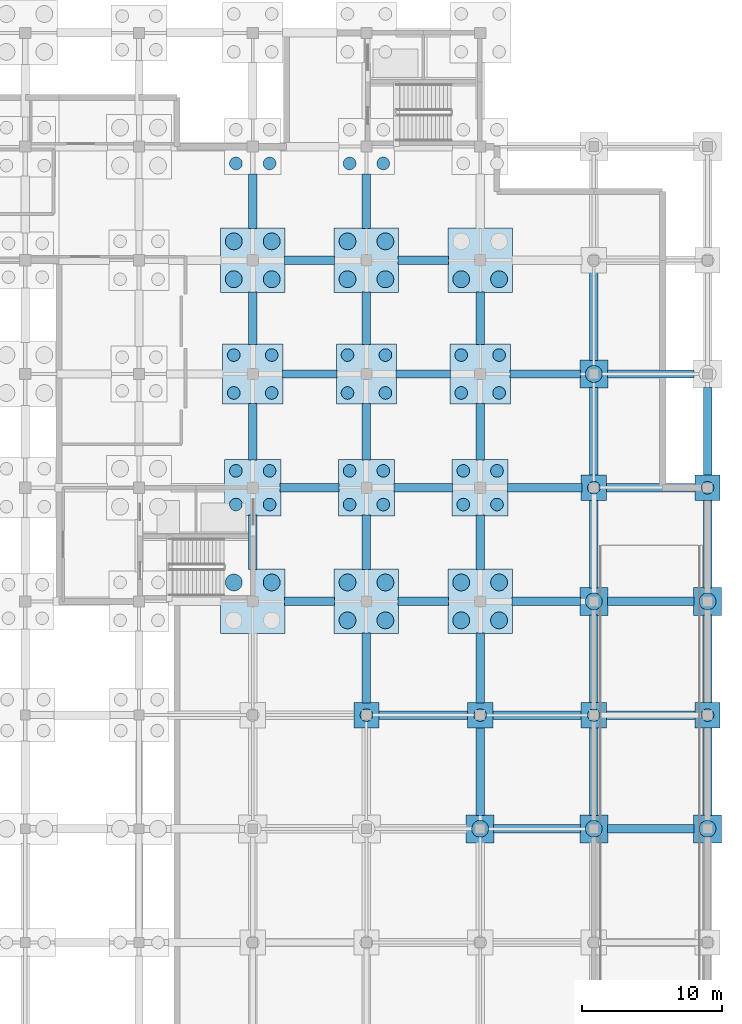
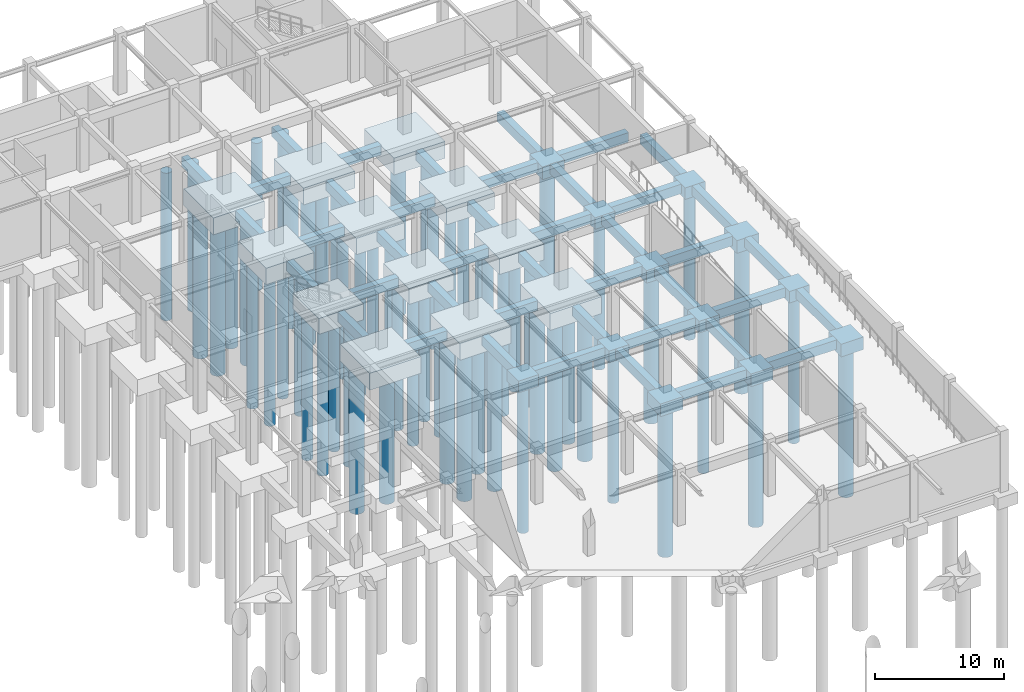
# One storey, part 7 of 26: 66 footings, 60 piles.
"""IFC4 building model written with IfcOpenShell, lengths in metres."""

from ifc_helpers import new_model, si_unit, direction, frame, origin, origin_2d, place, context, subcontext, project, spatial, rectangle, circle, extrude, material, material_profile, profile_set, type_object, element, save


model = new_model("IFC4")

# Units and contexts
model_context = context("Model", 3, precision=1e-05, world=origin(), true_north=direction((0.0, 1.0)))
body_context = subcontext(model_context, "Body", "Model", "MODEL_VIEW")
ifc_project = project(units=[si_unit("LENGTHUNIT", "METRE"), si_unit("AREAUNIT", "SQUARE_METRE"), si_unit("VOLUMEUNIT", "CUBIC_METRE"), si_unit("PLANEANGLEUNIT", "RADIAN"), si_unit("MASSUNIT", "GRAM", prefix="KILO")], contexts=[model_context])

# Site, building, storey
site_placement = place(None, origin())
site = spatial("IfcSite", under=ifc_project, at=site_placement, CompositionType="ELEMENT")
building_placement = place(site_placement, origin())
building = spatial("IfcBuilding", under=site, at=building_placement, Name="Parian Resonance Hall", CompositionType="ELEMENT")
storey_placement = place(building_placement, frame((0.0, 0.0, -5.39990234375)))
storey = spatial("IfcBuildingStorey", under=building, at=storey_placement, Name="B1", CompositionType="ELEMENT", Elevation=-5.39990234375)

# Footings
ifc_material_1 = material(Name="Concrete C35/45", Category="concrete")
ifc_material_profile_1 = material_profile(ifc_material_1, rectangle(XDim=0.60009765625, YDim=0.89990234375, at=origin_2d()), Name="RC-GB-600x900")
ifc_profile_set_1 = profile_set([ifc_material_profile_1], Name="Concrete C35/45")
footing_type_1 = type_object("IfcFootingType", Name="GB-600x900", PredefinedType="FOOTING_BEAM", material=ifc_profile_set_1)
footing_1_placement = place(storey_placement, frame((131.860107421875, 48.60009765625, -0.85009765625), z_axis=(1.0, 0.0, 0.0), x_axis=(0.0, 1.0, 0.0)))
element("IfcFooting", 1, at=footing_1_placement, inside=storey, type_object=footing_type_1, Name="Foundation tie beam B1-172", PredefinedType="FOOTING_BEAM", context=body_context, shape_type="SweptSolid", body=[
    extrude(rectangle(XDim=0.60009765625, YDim=0.89990234375, at=origin_2d()), origin(), (0.0, 0.0, 1.0), 3.579833984375),
])
footing_2_placement = place(storey_placement, frame((129.60009765625, 50.860107421875, -0.85009765625), z_axis=(0.0, 1.0, 0.0), x_axis=(-1.0, 0.0, 0.0)))
element("IfcFooting", 2, at=footing_2_placement, inside=storey, type_object=footing_type_1, Name="Foundation tie beam B1-173", PredefinedType="FOOTING_BEAM", context=body_context, shape_type="SweptSolid", body=[
    extrude(rectangle(XDim=0.60009765625, YDim=0.89990234375, at=origin_2d()), origin(), (0.0, 0.0, 1.0), 3.8798828125),
])
footing_3_placement = place(storey_placement, frame((131.56005859375, 56.699951171875, -0.85009765625), z_axis=(1.0, 0.0, 0.0), x_axis=(0.0, 1.0, 0.0)))
element("IfcFooting", 3, at=footing_3_placement, inside=storey, type_object=footing_type_1, Name="Foundation tie beam B1-174", PredefinedType="FOOTING_BEAM", context=body_context, shape_type="SweptSolid", body=[
    extrude(rectangle(XDim=0.60009765625, YDim=0.89990234375, at=origin_2d()), origin(), (0.0, 0.0, 1.0), 4.179931640625),
])
footing_4_placement = place(storey_placement, frame((129.60009765625, 58.659912109375, -0.85009765625), z_axis=(0.0, 1.0, 0.0), x_axis=(-1.0, 0.0, 0.0)))
element("IfcFooting", 4, at=footing_4_placement, inside=storey, type_object=footing_type_1, Name="Foundation tie beam B1-175", PredefinedType="FOOTING_BEAM", context=body_context, shape_type="SweptSolid", body=[
    extrude(rectangle(XDim=0.60009765625, YDim=0.89990234375, at=origin_2d()), origin(), (0.0, 0.0, 1.0), 4.030029296875),
])
footing_5_placement = place(storey_placement, frame((131.7099609375, 64.800048828125, -0.85009765625), z_axis=(1.0, 0.0, 0.0), x_axis=(0.0, 1.0, 0.0)))
element("IfcFooting", 5, at=footing_5_placement, inside=storey, type_object=footing_type_1, Name="Foundation tie beam B1-176", PredefinedType="FOOTING_BEAM", context=body_context, shape_type="SweptSolid", body=[
    extrude(rectangle(XDim=0.60009765625, YDim=0.89990234375, at=origin_2d()), origin(), (0.0, 0.0, 1.0), 3.880126953125),
])
footing_6_placement = place(storey_placement, frame((129.60009765625, 66.909912109375, -0.85009765625), z_axis=(0.0, 1.0, 0.0), x_axis=(-1.0, 0.0, 0.0)))
element("IfcFooting", 6, at=footing_6_placement, inside=storey, type_object=footing_type_1, Name="Foundation tie beam B1-177", PredefinedType="FOOTING_BEAM", context=body_context, shape_type="SweptSolid", body=[
    extrude(rectangle(XDim=0.60009765625, YDim=0.89990234375, at=origin_2d()), origin(), (0.0, 0.0, 1.0), 3.72998046875),
])
footing_7_placement = place(storey_placement, frame((131.860107421875, 72.89990234375, -0.85009765625), z_axis=(1.0, 0.0, 0.0), x_axis=(0.0, 1.0, 0.0)))
element("IfcFooting", 7, at=footing_7_placement, inside=storey, type_object=footing_type_1, Name="Foundation tie beam B1-178", PredefinedType="FOOTING_BEAM", context=body_context, shape_type="SweptSolid", body=[
    extrude(rectangle(XDim=0.60009765625, YDim=0.89990234375, at=origin_2d()), origin(), (0.0, 0.0, 1.0), 3.579833984375),
])
footing_8_placement = place(storey_placement, frame((129.60009765625, 75.159912109375, -0.85009765625), z_axis=(0.0, 1.0, 0.0), x_axis=(-1.0, 0.0, 0.0)))
element("IfcFooting", 8, at=footing_8_placement, inside=storey, type_object=footing_type_1, Name="Foundation tie beam B1-179", PredefinedType="FOOTING_BEAM", context=body_context, shape_type="SweptSolid", body=[
    extrude(rectangle(XDim=0.60009765625, YDim=0.89990234375, at=origin_2d()), origin(), (0.0, 0.0, 1.0), 3.880126953125),
])
footing_9_placement = place(storey_placement, frame((138.56005859375, 40.5, -0.85009765625), z_axis=(1.0, 0.0, 0.0), x_axis=(0.0, 1.0, 0.0)))
element("IfcFooting", 9, at=footing_9_placement, inside=storey, type_object=footing_type_1, Name="Foundation tie beam B1-192", PredefinedType="FOOTING_BEAM", context=body_context, shape_type="SweptSolid", body=[
    extrude(rectangle(XDim=0.60009765625, YDim=0.89990234375, at=origin_2d()), origin(), (0.0, 0.0, 1.0), 6.3798828125),
])
footing_10_placement = place(storey_placement, frame((137.699951171875, 41.360107421875, -0.85009765625), z_axis=(0.0, 1.0, 0.0), x_axis=(-1.0, 0.0, 0.0)))
element("IfcFooting", 10, at=footing_10_placement, inside=storey, type_object=footing_type_1, Name="Foundation tie beam B1-193", PredefinedType="FOOTING_BEAM", context=body_context, shape_type="SweptSolid", body=[
    extrude(rectangle(XDim=0.60009765625, YDim=0.89990234375, at=origin_2d()), origin(), (0.0, 0.0, 1.0), 4.97998046875),
])
footing_11_placement = place(storey_placement, frame((139.9599609375, 48.60009765625, -0.85009765625), z_axis=(1.0, 0.0, 0.0), x_axis=(0.0, 1.0, 0.0)))
element("IfcFooting", 11, at=footing_11_placement, inside=storey, type_object=footing_type_1, Name="Foundation tie beam B1-194", PredefinedType="FOOTING_BEAM", context=body_context, shape_type="SweptSolid", body=[
    extrude(rectangle(XDim=0.60009765625, YDim=0.89990234375, at=origin_2d()), origin(), (0.0, 0.0, 1.0), 3.580078125),
])
footing_12_placement = place(storey_placement, frame((137.699951171875, 50.860107421875, -0.85009765625), z_axis=(0.0, 1.0, 0.0), x_axis=(-1.0, 0.0, 0.0)))
element("IfcFooting", 12, at=footing_12_placement, inside=storey, type_object=footing_type_1, Name="Foundation tie beam B1-195", PredefinedType="FOOTING_BEAM", context=body_context, shape_type="SweptSolid", body=[
    extrude(rectangle(XDim=0.60009765625, YDim=0.89990234375, at=origin_2d()), origin(), (0.0, 0.0, 1.0), 3.8798828125),
])
footing_13_placement = place(storey_placement, frame((139.659912109375, 56.699951171875, -0.85009765625), z_axis=(1.0, 0.0, 0.0), x_axis=(0.0, 1.0, 0.0)))
element("IfcFooting", 13, at=footing_13_placement, inside=storey, type_object=footing_type_1, Name="Foundation tie beam B1-196", PredefinedType="FOOTING_BEAM", context=body_context, shape_type="SweptSolid", body=[
    extrude(rectangle(XDim=0.60009765625, YDim=0.89990234375, at=origin_2d()), origin(), (0.0, 0.0, 1.0), 4.18017578125),
])
footing_14_placement = place(storey_placement, frame((137.699951171875, 58.659912109375, -0.85009765625), z_axis=(0.0, 1.0, 0.0), x_axis=(-1.0, 0.0, 0.0)))
element("IfcFooting", 14, at=footing_14_placement, inside=storey, type_object=footing_type_1, Name="Foundation tie beam B1-197", PredefinedType="FOOTING_BEAM", context=body_context, shape_type="SweptSolid", body=[
    extrude(rectangle(XDim=0.60009765625, YDim=0.89990234375, at=origin_2d()), origin(), (0.0, 0.0, 1.0), 4.030029296875),
])
footing_15_placement = place(storey_placement, frame((139.81005859375, 64.800048828125, -0.85009765625), z_axis=(1.0, 0.0, 0.0), x_axis=(0.0, 1.0, 0.0)))
element("IfcFooting", 15, at=footing_15_placement, inside=storey, type_object=footing_type_1, Name="Foundation tie beam B1-198", PredefinedType="FOOTING_BEAM", context=body_context, shape_type="SweptSolid", body=[
    extrude(rectangle(XDim=0.60009765625, YDim=0.89990234375, at=origin_2d()), origin(), (0.0, 0.0, 1.0), 3.8798828125),
])
footing_16_placement = place(storey_placement, frame((137.699951171875, 66.909912109375, -0.85009765625), z_axis=(0.0, 1.0, 0.0), x_axis=(-1.0, 0.0, 0.0)))
element("IfcFooting", 16, at=footing_16_placement, inside=storey, type_object=footing_type_1, Name="Foundation tie beam B1-199", PredefinedType="FOOTING_BEAM", context=body_context, shape_type="SweptSolid", body=[
    extrude(rectangle(XDim=0.60009765625, YDim=0.89990234375, at=origin_2d()), origin(), (0.0, 0.0, 1.0), 3.72998046875),
])
footing_17_placement = place(storey_placement, frame((139.9599609375, 72.89990234375, -0.85009765625), z_axis=(1.0, 0.0, 0.0), x_axis=(0.0, 1.0, 0.0)))
element("IfcFooting", 17, at=footing_17_placement, inside=storey, type_object=footing_type_1, Name="Foundation tie beam B1-200", PredefinedType="FOOTING_BEAM", context=body_context, shape_type="SweptSolid", body=[
    extrude(rectangle(XDim=0.60009765625, YDim=0.89990234375, at=origin_2d()), origin(), (0.0, 0.0, 1.0), 3.580078125),
])
footing_18_placement = place(storey_placement, frame((137.699951171875, 75.159912109375, -0.85009765625), z_axis=(0.0, 1.0, 0.0), x_axis=(-1.0, 0.0, 0.0)))
element("IfcFooting", 18, at=footing_18_placement, inside=storey, type_object=footing_type_1, Name="Foundation tie beam B1-201", PredefinedType="FOOTING_BEAM", context=body_context, shape_type="SweptSolid", body=[
    extrude(rectangle(XDim=0.60009765625, YDim=0.89990234375, at=origin_2d()), origin(), (0.0, 0.0, 1.0), 3.880126953125),
])
footing_19_placement = place(storey_placement, frame((146.760009765625, 32.39990234375, -0.85009765625), z_axis=(1.0, 0.0, 0.0), x_axis=(0.0, 1.0, 0.0)))
element("IfcFooting", 19, at=footing_19_placement, inside=storey, type_object=footing_type_1, Name="Foundation tie beam B1-212", PredefinedType="FOOTING_BEAM", context=body_context, shape_type="SweptSolid", body=[
    extrude(rectangle(XDim=0.60009765625, YDim=0.89990234375, at=origin_2d()), origin(), (0.0, 0.0, 1.0), 6.179931640625),
])
footing_20_placement = place(storey_placement, frame((145.800048828125, 33.360107421875, -0.85009765625), z_axis=(0.0, 1.0, 0.0), x_axis=(-1.0, 0.0, 0.0)))
element("IfcFooting", 20, at=footing_20_placement, inside=storey, type_object=footing_type_1, Name="Foundation tie beam B1-213", PredefinedType="FOOTING_BEAM", context=body_context, shape_type="SweptSolid", body=[
    extrude(rectangle(XDim=0.60009765625, YDim=0.89990234375, at=origin_2d()), origin(), (0.0, 0.0, 1.0), 6.27978515625),
])
footing_21_placement = place(storey_placement, frame((146.659912109375, 40.5, -0.85009765625), z_axis=(1.0, 0.0, 0.0), x_axis=(0.0, 1.0, 0.0)))
element("IfcFooting", 21, at=footing_21_placement, inside=storey, type_object=footing_type_1, Name="Foundation tie beam B1-214", PredefinedType="FOOTING_BEAM", context=body_context, shape_type="SweptSolid", body=[
    extrude(rectangle(XDim=0.60009765625, YDim=0.89990234375, at=origin_2d()), origin(), (0.0, 0.0, 1.0), 6.380126953125),
])
footing_22_placement = place(storey_placement, frame((145.800048828125, 41.360107421875, -0.85009765625), z_axis=(0.0, 1.0, 0.0), x_axis=(-1.0, 0.0, 0.0)))
element("IfcFooting", 22, at=footing_22_placement, inside=storey, type_object=footing_type_1, Name="Foundation tie beam B1-215", PredefinedType="FOOTING_BEAM", context=body_context, shape_type="SweptSolid", body=[
    extrude(rectangle(XDim=0.60009765625, YDim=0.89990234375, at=origin_2d()), origin(), (0.0, 0.0, 1.0), 4.97998046875),
])
footing_23_placement = place(storey_placement, frame((148.06005859375, 48.60009765625, -0.85009765625), z_axis=(1.0, 0.0, 0.0), x_axis=(0.0, 1.0, 0.0)))
element("IfcFooting", 23, at=footing_23_placement, inside=storey, type_object=footing_type_1, Name="Foundation tie beam B1-216", PredefinedType="FOOTING_BEAM", context=body_context, shape_type="SweptSolid", body=[
    extrude(rectangle(XDim=0.60009765625, YDim=0.89990234375, at=origin_2d()), origin(), (0.0, 0.0, 1.0), 4.8798828125),
])
footing_24_placement = place(storey_placement, frame((145.800048828125, 50.860107421875, -0.85009765625), z_axis=(0.0, 1.0, 0.0), x_axis=(-1.0, 0.0, 0.0)))
element("IfcFooting", 24, at=footing_24_placement, inside=storey, type_object=footing_type_1, Name="Foundation tie beam B1-217", PredefinedType="FOOTING_BEAM", context=body_context, shape_type="SweptSolid", body=[
    extrude(rectangle(XDim=0.60009765625, YDim=0.89990234375, at=origin_2d()), origin(), (0.0, 0.0, 1.0), 3.8798828125),
])
footing_25_placement = place(storey_placement, frame((147.760009765625, 56.699951171875, -0.85009765625), z_axis=(1.0, 0.0, 0.0), x_axis=(0.0, 1.0, 0.0)))
element("IfcFooting", 25, at=footing_25_placement, inside=storey, type_object=footing_type_1, Name="Foundation tie beam B1-218", PredefinedType="FOOTING_BEAM", context=body_context, shape_type="SweptSolid", body=[
    extrude(rectangle(XDim=0.60009765625, YDim=0.89990234375, at=origin_2d()), origin(), (0.0, 0.0, 1.0), 5.280029296875),
])
footing_26_placement = place(storey_placement, frame((145.800048828125, 58.659912109375, -0.85009765625), z_axis=(0.0, 1.0, 0.0), x_axis=(-1.0, 0.0, 0.0)))
element("IfcFooting", 26, at=footing_26_placement, inside=storey, type_object=footing_type_1, Name="Foundation tie beam B1-219", PredefinedType="FOOTING_BEAM", context=body_context, shape_type="SweptSolid", body=[
    extrude(rectangle(XDim=0.60009765625, YDim=0.89990234375, at=origin_2d()), origin(), (0.0, 0.0, 1.0), 4.030029296875),
])
footing_27_placement = place(storey_placement, frame((147.909912109375, 64.800048828125, -0.85009765625), z_axis=(1.0, 0.0, 0.0), x_axis=(0.0, 1.0, 0.0)))
element("IfcFooting", 27, at=footing_27_placement, inside=storey, type_object=footing_type_1, Name="Foundation tie beam B1-220", PredefinedType="FOOTING_BEAM", context=body_context, shape_type="SweptSolid", body=[
    extrude(rectangle(XDim=0.60009765625, YDim=0.89990234375, at=origin_2d()), origin(), (0.0, 0.0, 1.0), 5.030029296875),
])
footing_28_placement = place(storey_placement, frame((145.800048828125, 66.909912109375, -0.85009765625), z_axis=(0.0, 1.0, 0.0), x_axis=(-1.0, 0.0, 0.0)))
element("IfcFooting", 28, at=footing_28_placement, inside=storey, type_object=footing_type_1, Name="Foundation tie beam B1-221", PredefinedType="FOOTING_BEAM", context=body_context, shape_type="SweptSolid", body=[
    extrude(rectangle(XDim=0.60009765625, YDim=0.89990234375, at=origin_2d()), origin(), (0.0, 0.0, 1.0), 3.72998046875),
])
footing_29_placement = place(storey_placement, frame((154.860107421875, 32.39990234375, -0.85009765625), z_axis=(1.0, 0.0, 0.0), x_axis=(0.0, 1.0, 0.0)))
element("IfcFooting", 29, at=footing_29_placement, inside=storey, type_object=footing_type_1, Name="Foundation tie beam B1-232", PredefinedType="FOOTING_BEAM", context=body_context, shape_type="SweptSolid", body=[
    extrude(rectangle(XDim=0.60009765625, YDim=0.89990234375, at=origin_2d()), origin(), (0.0, 0.0, 1.0), 6.179931640625),
])
footing_30_placement = place(storey_placement, frame((153.89990234375, 33.360107421875, -0.85009765625), z_axis=(0.0, 1.0, 0.0), x_axis=(-1.0, 0.0, 0.0)))
element("IfcFooting", 30, at=footing_30_placement, inside=storey, type_object=footing_type_1, Name="Foundation tie beam B1-233", PredefinedType="FOOTING_BEAM", context=body_context, shape_type="SweptSolid", body=[
    extrude(rectangle(XDim=0.60009765625, YDim=0.89990234375, at=origin_2d()), origin(), (0.0, 0.0, 1.0), 6.27978515625),
])
footing_31_placement = place(storey_placement, frame((154.760009765625, 40.5, -0.85009765625), z_axis=(1.0, 0.0, 0.0), x_axis=(0.0, 1.0, 0.0)))
element("IfcFooting", 31, at=footing_31_placement, inside=storey, type_object=footing_type_1, Name="Foundation tie beam B1-234", PredefinedType="FOOTING_BEAM", context=body_context, shape_type="SweptSolid", body=[
    extrude(rectangle(XDim=0.60009765625, YDim=0.89990234375, at=origin_2d()), origin(), (0.0, 0.0, 1.0), 6.3798828125),
])
footing_32_placement = place(storey_placement, frame((153.89990234375, 41.360107421875, -0.85009765625), z_axis=(0.0, 1.0, 0.0), x_axis=(-1.0, 0.0, 0.0)))
element("IfcFooting", 32, at=footing_32_placement, inside=storey, type_object=footing_type_1, Name="Foundation tie beam B1-235", PredefinedType="FOOTING_BEAM", context=body_context, shape_type="SweptSolid", body=[
    extrude(rectangle(XDim=0.60009765625, YDim=0.89990234375, at=origin_2d()), origin(), (0.0, 0.0, 1.0), 6.27978515625),
])
footing_33_placement = place(storey_placement, frame((154.860107421875, 48.60009765625, -0.85009765625), z_axis=(1.0, 0.0, 0.0), x_axis=(0.0, 1.0, 0.0)))
element("IfcFooting", 33, at=footing_33_placement, inside=storey, type_object=footing_type_1, Name="Foundation tie beam B1-236", PredefinedType="FOOTING_BEAM", context=body_context, shape_type="SweptSolid", body=[
    extrude(rectangle(XDim=0.60009765625, YDim=0.89990234375, at=origin_2d()), origin(), (0.0, 0.0, 1.0), 6.179931640625),
])
footing_34_placement = place(storey_placement, frame((153.89990234375, 49.56005859375, -0.85009765625), z_axis=(0.0, 1.0, 0.0), x_axis=(-1.0, 0.0, 0.0)))
element("IfcFooting", 34, at=footing_34_placement, inside=storey, type_object=footing_type_1, Name="Foundation tie beam B1-237", PredefinedType="FOOTING_BEAM", context=body_context, shape_type="SweptSolid", body=[
    extrude(rectangle(XDim=0.60009765625, YDim=0.89990234375, at=origin_2d()), origin(), (0.0, 0.0, 1.0), 6.280029296875),
])
footing_35_placement = place(storey_placement, frame((154.760009765625, 56.699951171875, -0.85009765625), z_axis=(1.0, 0.0, 0.0), x_axis=(0.0, 1.0, 0.0)))
element("IfcFooting", 35, at=footing_35_placement, inside=storey, type_object=footing_type_1, Name="Foundation tie beam B1-238", PredefinedType="FOOTING_BEAM", context=body_context, shape_type="SweptSolid", body=[
    extrude(rectangle(XDim=0.60009765625, YDim=0.89990234375, at=origin_2d()), origin(), (0.0, 0.0, 1.0), 6.3798828125),
])
footing_36_placement = place(storey_placement, frame((153.89990234375, 57.56005859375, -0.85009765625), z_axis=(0.0, 1.0, 0.0), x_axis=(-1.0, 0.0, 0.0)))
element("IfcFooting", 36, at=footing_36_placement, inside=storey, type_object=footing_type_1, Name="Foundation tie beam B1-239", PredefinedType="FOOTING_BEAM", context=body_context, shape_type="SweptSolid", body=[
    extrude(rectangle(XDim=0.60009765625, YDim=0.89990234375, at=origin_2d()), origin(), (0.0, 0.0, 1.0), 6.280029296875),
])
footing_37_placement = place(storey_placement, frame((154.860107421875, 64.800048828125, -0.85009765625), z_axis=(1.0, 0.0, 0.0), x_axis=(0.0, 1.0, 0.0)))
element("IfcFooting", 37, at=footing_37_placement, inside=storey, type_object=footing_type_1, Name="Foundation tie beam B1-240", PredefinedType="FOOTING_BEAM", context=body_context, shape_type="SweptSolid", body=[
    extrude(rectangle(XDim=0.60009765625, YDim=0.89990234375, at=origin_2d()), origin(), (0.0, 0.0, 1.0), 6.179931640625),
])
footing_38_placement = place(storey_placement, frame((153.89990234375, 65.760009765625, -0.85009765625), z_axis=(0.0, 1.0, 0.0), x_axis=(-1.0, 0.0, 0.0)))
element("IfcFooting", 38, at=footing_38_placement, inside=storey, type_object=footing_type_1, Name="Foundation tie beam B1-241", PredefinedType="FOOTING_BEAM", context=body_context, shape_type="SweptSolid", body=[
    extrude(rectangle(XDim=0.60009765625, YDim=0.89990234375, at=origin_2d()), origin(), (0.0, 0.0, 1.0), 6.280029296875),
])
for number, where, z_axis, x_axis, name in (
    (39, (162.0, 33.360107421875, -0.85009765625), (0.0, 1.0, 0.0), (-1.0, 0.0, 0.0), "Foundation tie beam B1-248"),
    (40, (162.0, 41.360107421875, -0.85009765625), (0.0, 1.0, 0.0), (-1.0, 0.0, 0.0), "Foundation tie beam B1-249"),
):
    element("IfcFooting", number, at=place(storey_placement, frame(where, z_axis=z_axis, x_axis=x_axis)), inside=storey, type_object=footing_type_1, Name=name, PredefinedType="FOOTING_BEAM", context=body_context, shape_type="SweptSolid", body=[
        extrude(rectangle(XDim=0.60009765625, YDim=0.89990234375, at=origin_2d()), origin(), (0.0, 0.0, 1.0), 6.27978515625),
    ])
for number, where, z_axis, x_axis, name in (
    (41, (162.0, 49.56005859375, -0.85009765625), (0.0, 1.0, 0.0), (-1.0, 0.0, 0.0), "Foundation tie beam B1-250"),
    (42, (162.0, 57.56005859375, -0.85009765625), (0.0, 1.0, 0.0), (-1.0, 0.0, 0.0), "Foundation tie beam B1-251"),
):
    element("IfcFooting", number, at=place(storey_placement, frame(where, z_axis=z_axis, x_axis=x_axis)), inside=storey, type_object=footing_type_1, Name=name, PredefinedType="FOOTING_BEAM", context=body_context, shape_type="SweptSolid", body=[
        extrude(rectangle(XDim=0.60009765625, YDim=0.89990234375, at=origin_2d()), origin(), (0.0, 0.0, 1.0), 6.280029296875),
    ])
ifc_material_2 = material(Name="Concrete C35/45", Category="concrete")
footing_type_2 = type_object("IfcFootingType", Name="PC-1P-1800", PredefinedType="PILE_CAP", material=ifc_material_2)
for number, where, z_axis, x_axis, name in (
    (43, (137.699951171875, 40.5, -1.500244140625), (0.0, 0.0, 1.0), (1.0, 0.0, 0.0), "Pile cap G18-06"),
    (44, (145.800048828125, 40.5, -1.500244140625), (0.0, 0.0, 1.0), (1.0, 0.0, 0.0), "Pile cap G19-06"),
    (45, (153.89990234375, 40.5, -1.500244140625), (0.0, 0.0, 1.0), (1.0, 0.0, 0.0), "Pile cap G20-06"),
    (46, (153.89990234375, 56.699951171875, -1.500244140625), (0.0, 0.0, 1.0), (1.0, 0.0, 0.0), "Pile cap G20-08"),
    (47, (162.0, 40.5, -1.500244140625), (0.0, 0.0, 1.0), (1.0, 0.0, 0.0), "Pile cap G21-06"),
    (48, (162.0, 56.699951171875, -1.500244140625), (0.0, 0.0, 1.0), (1.0, 0.0, 0.0), "Pile cap G21-08"),
):
    element("IfcFooting", number, at=place(storey_placement, frame(where, z_axis=z_axis, x_axis=x_axis)), inside=storey, type_object=footing_type_2, Name=name, PredefinedType="PILE_CAP", context=body_context, shape_type="SweptSolid", body=[
        extrude(rectangle(XDim=1.800048828125, YDim=1.800048828125, at=origin_2d()), origin(), (0.0, 0.0, 1.0), 1.10009765625),
    ])
ifc_material_3 = material(Name="Concrete C35/45", Category="concrete")
footing_type_3 = type_object("IfcFootingType", Name="PC-1P-2000", PredefinedType="PILE_CAP", material=ifc_material_3)
for number, where, z_axis, x_axis, name in (
    (49, (145.800048828125, 32.39990234375, -1.60009765625), (0.0, 0.0, 1.0), (1.0, 0.0, 0.0), "Pile cap G19-05"),
    (50, (153.89990234375, 32.39990234375, -1.60009765625), (0.0, 0.0, 1.0), (1.0, 0.0, 0.0), "Pile cap G20-05"),
    (51, (153.89990234375, 48.60009765625, -1.60009765625), (0.0, 0.0, 1.0), (1.0, 0.0, 0.0), "Pile cap G20-07"),
    (52, (153.89990234375, 64.800048828125, -1.60009765625), (0.0, 0.0, 1.0), (1.0, 0.0, 0.0), "Pile cap G20-09"),
    (53, (162.0, 32.39990234375, -1.60009765625), (0.0, 0.0, 1.0), (1.0, 0.0, 0.0), "Pile cap G21-05"),
    (54, (162.0, 48.60009765625, -1.60009765625), (0.0, 0.0, 1.0), (1.0, 0.0, 0.0), "Pile cap G21-07"),
):
    element("IfcFooting", number, at=place(storey_placement, frame(where, z_axis=z_axis, x_axis=x_axis)), inside=storey, type_object=footing_type_3, Name=name, PredefinedType="PILE_CAP", context=body_context, shape_type="SweptSolid", body=[
        extrude(rectangle(XDim=2.0, YDim=2.0, at=origin_2d()), origin(), (0.0, 0.0, 1.0), 1.199951171875),
    ])
ifc_material_4 = material(Name="Concrete C35/45", Category="concrete")
footing_type_4 = type_object("IfcFootingType", Name="PC-4P-4000x4000", PredefinedType="PILE_CAP", material=ifc_material_4)
for number, where, z_axis, x_axis, name in (
    (55, (129.60009765625, 56.699951171875, -1.900146484375), (0.0, 0.0, 1.0), (1.0, 0.0, 0.0), "Pile cap G17-08"),
    (56, (137.699951171875, 56.699951171875, -1.900146484375), (0.0, 0.0, 1.0), (1.0, 0.0, 0.0), "Pile cap G18-08"),
    (57, (145.800048828125, 56.699951171875, -1.900146484375), (0.0, 0.0, 1.0), (1.0, 0.0, 0.0), "Pile cap G19-08"),
):
    element("IfcFooting", number, at=place(storey_placement, frame(where, z_axis=z_axis, x_axis=x_axis)), inside=storey, type_object=footing_type_4, Name=name, PredefinedType="PILE_CAP", context=body_context, shape_type="SweptSolid", body=[
        extrude(rectangle(XDim=4.0, YDim=4.0, at=origin_2d()), origin(), (0.0, 0.0, 1.0), 1.5),
    ])
ifc_material_5 = material(Name="Concrete C35/45", Category="concrete")
footing_type_5 = type_object("IfcFootingType", Name="PC-4P-4300x4300", PredefinedType="PILE_CAP", material=ifc_material_5)
for number, where, z_axis, x_axis, name in (
    (58, (129.60009765625, 64.800048828125, -1.9501953125), (0.0, 0.0, 1.0), (1.0, 0.0, 0.0), "Pile cap G17-09"),
    (59, (137.699951171875, 64.800048828125, -1.9501953125), (0.0, 0.0, 1.0), (1.0, 0.0, 0.0), "Pile cap G18-09"),
    (60, (145.800048828125, 64.800048828125, -1.9501953125), (0.0, 0.0, 1.0), (1.0, 0.0, 0.0), "Pile cap G19-09"),
):
    element("IfcFooting", number, at=place(storey_placement, frame(where, z_axis=z_axis, x_axis=x_axis)), inside=storey, type_object=footing_type_5, Name=name, PredefinedType="PILE_CAP", context=body_context, shape_type="SweptSolid", body=[
        extrude(rectangle(XDim=4.300048828125, YDim=4.300048828125, at=origin_2d()), origin(), (0.0, 0.0, 1.0), 1.550048828125),
    ])
ifc_material_6 = material(Name="Concrete C35/45", Category="concrete")
footing_type_6 = type_object("IfcFootingType", Name="PC-4P-4600x4600", PredefinedType="PILE_CAP", material=ifc_material_6)
for number, where, z_axis, x_axis, name in (
    (61, (129.60009765625, 48.60009765625, -2.000244140625), (0.0, 0.0, 1.0), (1.0, 0.0, 0.0), "Pile cap G17-07"),
    (62, (129.60009765625, 72.89990234375, -2.000244140625), (0.0, 0.0, 1.0), (1.0, 0.0, 0.0), "Pile cap G17-10"),
    (63, (137.699951171875, 48.60009765625, -2.000244140625), (0.0, 0.0, 1.0), (1.0, 0.0, 0.0), "Pile cap G18-07"),
    (64, (137.699951171875, 72.89990234375, -2.000244140625), (0.0, 0.0, 1.0), (1.0, 0.0, 0.0), "Pile cap G18-10"),
    (65, (145.800048828125, 48.60009765625, -2.000244140625), (0.0, 0.0, 1.0), (1.0, 0.0, 0.0), "Pile cap G19-07"),
    (66, (145.800048828125, 72.89990234375, -2.000244140625), (0.0, 0.0, 1.0), (1.0, 0.0, 0.0), "Pile cap G19-10"),
):
    element("IfcFooting", number, at=place(storey_placement, frame(where, z_axis=z_axis, x_axis=x_axis)), inside=storey, type_object=footing_type_6, Name=name, PredefinedType="PILE_CAP", context=body_context, shape_type="SweptSolid", body=[
        extrude(rectangle(XDim=4.60009765625, YDim=4.60009765625, at=origin_2d()), origin(), (0.0, 0.0, 1.0), 1.60009765625),
    ])

# Piles
ifc_material_7 = material(Name="Concrete C35/45", Category="concrete")
ifc_material_profile_2 = material_profile(ifc_material_7, circle(Radius=0.60009765625, at=origin_2d()), Name="PILE-D1200")
ifc_profile_set_2 = profile_set([ifc_material_profile_2], Name="Concrete C35/45")
pile_type_1 = type_object("IfcPileType", Name="PILE-1200", PredefinedType="BORED", material=ifc_profile_set_2)
for number, where, z_axis, x_axis, name in (
    (67, (128.25, 49.949951171875, -1.900146484375), (0.0, 0.0, -1.0), (1.0, 0.0, 0.0), "Bored pile G17-07-2"),
    (68, (130.949951171875, 49.949951171875, -1.900146484375), (0.0, 0.0, -1.0), (1.0, 0.0, 0.0), "Bored pile G17-07-4"),
    (69, (128.25, 71.550048828125, -1.900146484375), (0.0, 0.0, -1.0), (1.0, 0.0, 0.0), "Bored pile G17-10-1"),
    (70, (128.25, 74.25, -1.900146484375), (0.0, 0.0, -1.0), (1.0, 0.0, 0.0), "Bored pile G17-10-2"),
    (71, (130.949951171875, 71.550048828125, -1.900146484375), (0.0, 0.0, -1.0), (1.0, 0.0, 0.0), "Bored pile G17-10-3"),
    (72, (130.949951171875, 74.25, -1.900146484375), (0.0, 0.0, -1.0), (1.0, 0.0, 0.0), "Bored pile G17-10-4"),
    (73, (136.35009765625, 47.25, -1.900146484375), (0.0, 0.0, -1.0), (1.0, 0.0, 0.0), "Bored pile G18-07-1"),
    (74, (136.35009765625, 49.949951171875, -1.900146484375), (0.0, 0.0, -1.0), (1.0, 0.0, 0.0), "Bored pile G18-07-2"),
    (75, (139.050048828125, 47.25, -1.900146484375), (0.0, 0.0, -1.0), (1.0, 0.0, 0.0), "Bored pile G18-07-3"),
    (76, (139.050048828125, 49.949951171875, -1.900146484375), (0.0, 0.0, -1.0), (1.0, 0.0, 0.0), "Bored pile G18-07-4"),
    (77, (136.35009765625, 71.550048828125, -1.900146484375), (0.0, 0.0, -1.0), (1.0, 0.0, 0.0), "Bored pile G18-10-1"),
    (78, (136.35009765625, 74.25, -1.900146484375), (0.0, 0.0, -1.0), (1.0, 0.0, 0.0), "Bored pile G18-10-2"),
    (79, (139.050048828125, 71.550048828125, -1.900146484375), (0.0, 0.0, -1.0), (1.0, 0.0, 0.0), "Bored pile G18-10-3"),
    (80, (139.050048828125, 74.25, -1.900146484375), (0.0, 0.0, -1.0), (1.0, 0.0, 0.0), "Bored pile G18-10-4"),
    (81, (145.800048828125, 32.39990234375, -1.5), (0.0, 0.0, -1.0), (1.0, 0.0, 0.0), "Bored pile G19-05-1"),
    (82, (144.449951171875, 47.25, -1.900146484375), (0.0, 0.0, -1.0), (1.0, 0.0, 0.0), "Bored pile G19-07-1"),
    (83, (144.449951171875, 49.949951171875, -1.900146484375), (0.0, 0.0, -1.0), (1.0, 0.0, 0.0), "Bored pile G19-07-2"),
    (84, (147.14990234375, 47.25, -1.900146484375), (0.0, 0.0, -1.0), (1.0, 0.0, 0.0), "Bored pile G19-07-3"),
    (85, (147.14990234375, 49.949951171875, -1.900146484375), (0.0, 0.0, -1.0), (1.0, 0.0, 0.0), "Bored pile G19-07-4"),
    (86, (144.449951171875, 71.550048828125, -1.900146484375), (0.0, 0.0, -1.0), (1.0, 0.0, 0.0), "Bored pile G19-10-1"),
    (87, (147.14990234375, 71.550048828125, -1.900146484375), (0.0, 0.0, -1.0), (1.0, 0.0, 0.0), "Bored pile G19-10-3"),
    (88, (153.89990234375, 32.39990234375, -1.5), (0.0, 0.0, -1.0), (1.0, 0.0, 0.0), "Bored pile G20-05-1"),
    (89, (153.89990234375, 48.60009765625, -1.5), (0.0, 0.0, -1.0), (1.0, 0.0, 0.0), "Bored pile G20-07-1"),
    (90, (153.89990234375, 64.800048828125, -1.5), (0.0, 0.0, -1.0), (1.0, 0.0, 0.0), "Bored pile G20-09-1"),
    (91, (162.0, 32.39990234375, -1.5), (0.0, 0.0, -1.0), (1.0, 0.0, 0.0), "Bored pile G21-05-1"),
    (92, (162.0, 48.60009765625, -1.5), (0.0, 0.0, -1.0), (1.0, 0.0, 0.0), "Bored pile G21-07-1"),
):
    element("IfcPile", number, at=place(storey_placement, frame(where, z_axis=z_axis, x_axis=x_axis)), inside=storey, type_object=pile_type_1, Name=name, PredefinedType="BORED", context=body_context, shape_type="SweptSolid", body=[
        extrude(circle(Radius=0.60009765625, at=origin_2d()), origin(), (0.0, 0.0, 1.0), 14.0),
    ])
ifc_material_8 = material(Name="Concrete C35/45", Category="concrete")
ifc_material_profile_3 = material_profile(ifc_material_8, circle(Radius=0.449951171875, at=origin_2d()), Name="PILE-D900")
ifc_profile_set_3 = profile_set([ifc_material_profile_3], Name="Concrete C35/45")
pile_type_2 = type_object("IfcPileType", Name="PILE-900", PredefinedType="BORED", material=ifc_profile_set_3)
for number, where, z_axis, x_axis, name in (
    (93, (128.39990234375, 55.5, -1.800048828125), (0.0, 0.0, -1.0), (1.0, 0.0, 0.0), "Bored pile G17-08-1"),
    (94, (128.39990234375, 57.89990234375, -1.800048828125), (0.0, 0.0, -1.0), (1.0, 0.0, 0.0), "Bored pile G17-08-2"),
    (95, (130.800048828125, 55.5, -1.800048828125), (0.0, 0.0, -1.0), (1.0, 0.0, 0.0), "Bored pile G17-08-3"),
    (96, (130.800048828125, 57.89990234375, -1.800048828125), (0.0, 0.0, -1.0), (1.0, 0.0, 0.0), "Bored pile G17-08-4"),
    (97, (128.25, 63.449951171875, -1.85009765625), (0.0, 0.0, -1.0), (1.0, 0.0, 0.0), "Bored pile G17-09-1"),
    (98, (128.25, 66.14990234375, -1.85009765625), (0.0, 0.0, -1.0), (1.0, 0.0, 0.0), "Bored pile G17-09-2"),
    (99, (130.949951171875, 63.449951171875, -1.85009765625), (0.0, 0.0, -1.0), (1.0, 0.0, 0.0), "Bored pile G17-09-3"),
    (100, (130.949951171875, 66.14990234375, -1.85009765625), (0.0, 0.0, -1.0), (1.0, 0.0, 0.0), "Bored pile G17-09-4"),
    (101, (128.39990234375, 79.800048828125, -1.800048828125), (0.0, 0.0, -1.0), (1.0, 0.0, 0.0), "Bored pile G17-11-1"),
    (102, (130.800048828125, 79.800048828125, -1.800048828125), (0.0, 0.0, -1.0), (1.0, 0.0, 0.0), "Bored pile G17-11-3"),
    (103, (137.699951171875, 40.5, -1.400146484375), (0.0, 0.0, -1.0), (1.0, 0.0, 0.0), "Bored pile G18-06-1"),
    (104, (136.5, 55.5, -1.800048828125), (0.0, 0.0, -1.0), (1.0, 0.0, 0.0), "Bored pile G18-08-1"),
    (105, (136.5, 57.89990234375, -1.800048828125), (0.0, 0.0, -1.0), (1.0, 0.0, 0.0), "Bored pile G18-08-2"),
    (106, (138.89990234375, 55.5, -1.800048828125), (0.0, 0.0, -1.0), (1.0, 0.0, 0.0), "Bored pile G18-08-3"),
    (107, (138.89990234375, 57.89990234375, -1.800048828125), (0.0, 0.0, -1.0), (1.0, 0.0, 0.0), "Bored pile G18-08-4"),
    (108, (136.35009765625, 63.449951171875, -1.85009765625), (0.0, 0.0, -1.0), (1.0, 0.0, 0.0), "Bored pile G18-09-1"),
    (109, (136.35009765625, 66.14990234375, -1.85009765625), (0.0, 0.0, -1.0), (1.0, 0.0, 0.0), "Bored pile G18-09-2"),
    (110, (139.050048828125, 63.449951171875, -1.85009765625), (0.0, 0.0, -1.0), (1.0, 0.0, 0.0), "Bored pile G18-09-3"),
    (111, (139.050048828125, 66.14990234375, -1.85009765625), (0.0, 0.0, -1.0), (1.0, 0.0, 0.0), "Bored pile G18-09-4"),
    (112, (136.5, 79.800048828125, -1.800048828125), (0.0, 0.0, -1.0), (1.0, 0.0, 0.0), "Bored pile G18-11-1"),
    (113, (138.89990234375, 79.800048828125, -1.800048828125), (0.0, 0.0, -1.0), (1.0, 0.0, 0.0), "Bored pile G18-11-3"),
    (114, (145.800048828125, 40.5, -1.400146484375), (0.0, 0.0, -1.0), (1.0, 0.0, 0.0), "Bored pile G19-06-1"),
    (115, (144.60009765625, 55.5, -1.800048828125), (0.0, 0.0, -1.0), (1.0, 0.0, 0.0), "Bored pile G19-08-1"),
    (116, (144.60009765625, 57.89990234375, -1.800048828125), (0.0, 0.0, -1.0), (1.0, 0.0, 0.0), "Bored pile G19-08-2"),
    (117, (147.0, 55.5, -1.800048828125), (0.0, 0.0, -1.0), (1.0, 0.0, 0.0), "Bored pile G19-08-3"),
    (118, (147.0, 57.89990234375, -1.800048828125), (0.0, 0.0, -1.0), (1.0, 0.0, 0.0), "Bored pile G19-08-4"),
    (119, (144.449951171875, 63.449951171875, -1.85009765625), (0.0, 0.0, -1.0), (1.0, 0.0, 0.0), "Bored pile G19-09-1"),
    (120, (144.449951171875, 66.14990234375, -1.85009765625), (0.0, 0.0, -1.0), (1.0, 0.0, 0.0), "Bored pile G19-09-2"),
    (121, (147.14990234375, 63.449951171875, -1.85009765625), (0.0, 0.0, -1.0), (1.0, 0.0, 0.0), "Bored pile G19-09-3"),
    (122, (147.14990234375, 66.14990234375, -1.85009765625), (0.0, 0.0, -1.0), (1.0, 0.0, 0.0), "Bored pile G19-09-4"),
    (123, (153.89990234375, 40.5, -1.400146484375), (0.0, 0.0, -1.0), (1.0, 0.0, 0.0), "Bored pile G20-06-1"),
    (124, (153.89990234375, 56.699951171875, -1.400146484375), (0.0, 0.0, -1.0), (1.0, 0.0, 0.0), "Bored pile G20-08-1"),
    (125, (162.0, 40.5, -1.400146484375), (0.0, 0.0, -1.0), (1.0, 0.0, 0.0), "Bored pile G21-06-1"),
    (126, (162.0, 56.699951171875, -1.400146484375), (0.0, 0.0, -1.0), (1.0, 0.0, 0.0), "Bored pile G21-08-1"),
):
    element("IfcPile", number, at=place(storey_placement, frame(where, z_axis=z_axis, x_axis=x_axis)), inside=storey, type_object=pile_type_2, Name=name, PredefinedType="BORED", context=body_context, shape_type="SweptSolid", body=[
        extrude(circle(Radius=0.449951171875, at=origin_2d()), origin(), (0.0, 0.0, 1.0), 14.0),
    ])

save(model, "model.ifc")
